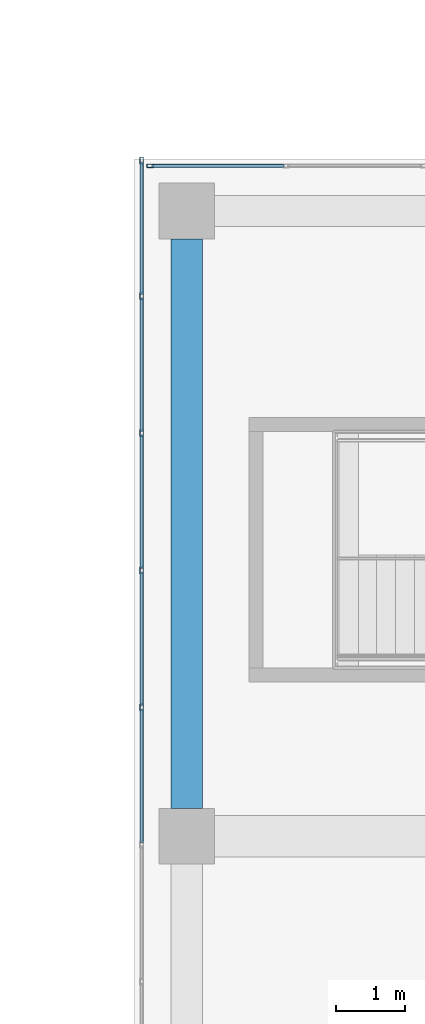
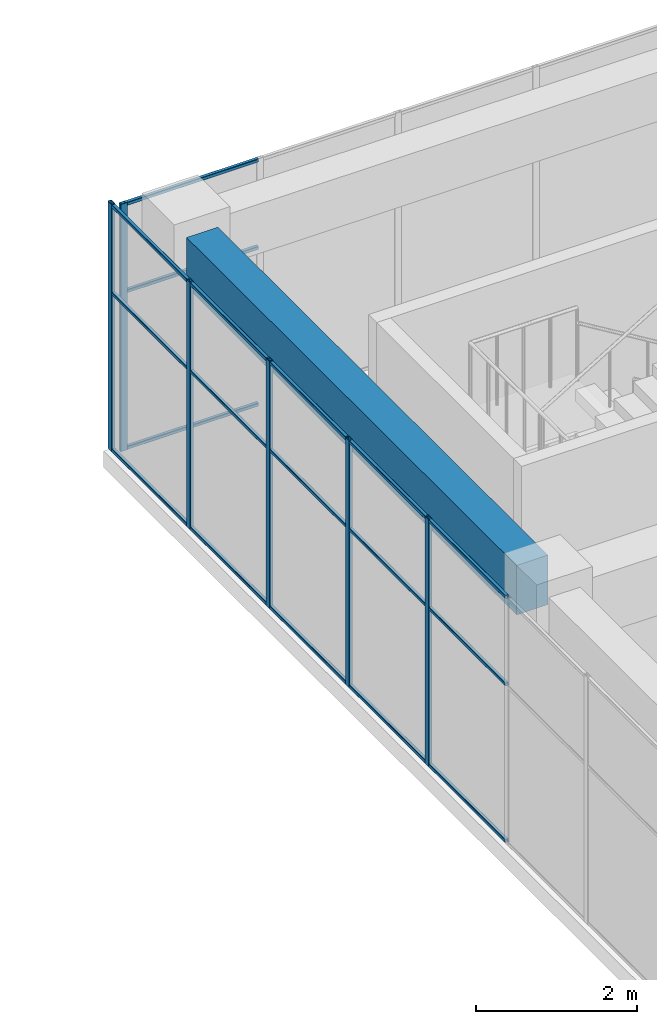
# One storey, part 28 of 55: 24 members, 1 beam, 2 elements without a shape of their own.
"""IFC4 building model written with IfcOpenShell, lengths in metres."""

import ifcopenshell
import ifcopenshell.guid

model = None  # the IFC model being written
_history = None  # IfcOwnerHistory: only IFC2X3 demands one
_inside = {}  # id of a spatial element -> (the spatial element, [elements in it])
_under = {}  # id of a project, library or spatial element -> (it, [spatial elements below it])
_declared = {}  # id of a project -> (the project, [libraries it declares])
_typed = {}  # id of a type object -> (the type object, [elements of that type])
_made_of = {}  # id of a material, layer set ... -> (it, [elements and type objects made of it])


def new_model(schema):
    """Start an empty IFC model of exactly this schema.

    Asked for "IFC4X3", IfcOpenShell would pick the latest addendum, in which some entities
    have other attributes; the version numbers below select the first issue.
    IFC2X3 requires an IfcOwnerHistory on every rooted entity: one is made here for all.
    """
    global model, _history
    if schema == "IFC4X3":
        model = ifcopenshell.file(schema_version=(4, 3, 0, 0))
    else:
        model = ifcopenshell.file(schema=schema)
    _inside.clear()
    _under.clear()
    _declared.clear()
    _typed.clear()
    _made_of.clear()
    _history = None
    if model.schema == "IFC2X3":
        org = make("IfcOrganization", Name="unknown")
        user = make(
            "IfcPersonAndOrganization",
            ThePerson=make("IfcPerson", FamilyName="unknown"),
            TheOrganization=org,
        )
        app = make(
            "IfcApplication",
            ApplicationDeveloper=org,
            Version="unknown",
            ApplicationFullName="unknown",
            ApplicationIdentifier="unknown",
        )
        _history = make(
            "IfcOwnerHistory",
            OwningUser=user,
            OwningApplication=app,
            ChangeAction="ADDED",
            CreationDate=0,
        )
    return model


def make(cls, **values):
    """One entity of the class cls with the attributes given. An attribute that is None is left unset."""
    return model.create_entity(
        cls, **{name: value for name, value in values.items() if value is not None}
    )


def rooted(cls, **values):
    """An entity with a GlobalId (a new one), such as an element, a storey or a relation."""
    return make(cls, GlobalId=ifcopenshell.guid.new(), OwnerHistory=_history, **values)


def si_unit(unit_type, name, prefix=None):
    """IfcSIUnit, for example si_unit("LENGTHUNIT", "METRE", prefix="MILLI")."""
    return make("IfcSIUnit", UnitType=unit_type, Prefix=prefix, Name=name)


def assignment(units):
    """IfcUnitAssignment: the units of a project."""
    return None if units is None else make("IfcUnitAssignment", Units=units)


def point(xyz):
    """IfcCartesianPoint."""
    return None if xyz is None else make("IfcCartesianPoint", Coordinates=xyz)


def direction(xyz):
    """IfcDirection."""
    return None if xyz is None else make("IfcDirection", DirectionRatios=xyz)


def frame(location, z_axis=None, x_axis=None):
    """IfcAxis2Placement3D, a coordinate frame: its origin and axes. An axis left out is left unset."""
    return make(
        "IfcAxis2Placement3D",
        Location=point(location),
        Axis=direction(z_axis),
        RefDirection=direction(x_axis),
    )


def frame_2d(location, x_axis=None):
    """IfcAxis2Placement2D, a coordinate frame in the plane: its origin and x axis."""
    return make(
        "IfcAxis2Placement2D", Location=point(location), RefDirection=direction(x_axis)
    )


def origin():
    """The frame at (0, 0, 0) with its axes left unset."""
    return frame((0.0, 0.0, 0.0))


def origin_2d():
    """The frame at (0, 0) in the plane with its x axis left unset."""
    return frame_2d((0.0, 0.0))


def place(relative_to, where):
    """IfcLocalPlacement: puts the frame where relative to a parent placement (None: the world)."""
    return make(
        "IfcLocalPlacement", PlacementRelTo=relative_to, RelativePlacement=where
    )


def context(
    kind, dimensions, precision=None, world=None, true_north=None, identifier=None
):
    """IfcGeometricRepresentationContext, for example the 3D "Model" context."""
    return make(
        "IfcGeometricRepresentationContext",
        ContextIdentifier=identifier,
        ContextType=kind,
        CoordinateSpaceDimension=dimensions,
        Precision=precision,
        WorldCoordinateSystem=world,
        TrueNorth=true_north,
    )


def subcontext(parent, identifier, kind, view, scale=None):
    """IfcGeometricRepresentationSubContext, for example "Body" below "Model"."""
    return make(
        "IfcGeometricRepresentationSubContext",
        ContextIdentifier=identifier,
        ContextType=kind,
        ParentContext=parent,
        TargetScale=scale,
        TargetView=view,
    )


def project(units=None, contexts=None):
    """IfcProject with its units and contexts."""
    return rooted(
        "IfcProject",
        Name="project",
        RepresentationContexts=contexts,
        UnitsInContext=assignment(units),
    )


def spatial(cls, under=None, at=None, **own):
    """A site, building, storey or space (cls), placed at a placement, below another one or the project."""
    s = rooted(cls, ObjectPlacement=at, **own)
    if under is not None:
        _under.setdefault(under.id(), (under, []))[1].append(s)
    return s


def profile(cls, at=None, kind="AREA", **sizes):
    """A parametric profile (cls). Its sizes go by their IFC names, for example OverallWidth=200.0."""
    return make(cls, ProfileType=kind, Position=at, **sizes)


def rectangle(**sizes):
    """IfcRectangleProfileDef."""
    return profile("IfcRectangleProfileDef", **sizes)


def hollow_rectangle(**sizes):
    """IfcRectangleHollowProfileDef."""
    return profile("IfcRectangleHollowProfileDef", **sizes)


def extrude(swept, where, along, depth):
    """IfcExtrudedAreaSolid: the profile swept, set in the frame where, extruded along a direction by depth."""
    return make(
        "IfcExtrudedAreaSolid",
        SweptArea=swept,
        Position=where,
        ExtrudedDirection=direction(along),
        Depth=depth,
    )


def shape(context_of_items, identifier, shape_type, items):
    """IfcShapeRepresentation: the items that make up one representation, for example the "Body"."""
    return make(
        "IfcShapeRepresentation",
        ContextOfItems=context_of_items,
        RepresentationIdentifier=identifier,
        RepresentationType=shape_type,
        Items=items,
    )


def material(Name=None, Category=None):
    """IfcMaterial."""
    return make("IfcMaterial", Name=Name, Category=Category)


def layer(
    of_material, thickness, ventilated=None, Name=None, Category=None, Priority=None
):
    """IfcMaterialLayer: one layer of a wall or slab, of a material (None: an air gap)."""
    return make(
        "IfcMaterialLayer",
        Material=of_material,
        LayerThickness=thickness,
        IsVentilated=ventilated,
        Name=Name,
        Category=Category,
        Priority=Priority,
    )


def layer_set(layers, Name=None):
    """IfcMaterialLayerSet."""
    return make("IfcMaterialLayerSet", MaterialLayers=layers, LayerSetName=Name)


def material_profile(
    of_material, cross_section, Name=None, Category=None, Priority=None
):
    """IfcMaterialProfile: a cross section and its material."""
    return make(
        "IfcMaterialProfile",
        Name=Name,
        Material=of_material,
        Profile=cross_section,
        Priority=Priority,
        Category=Category,
    )


def profile_set(profiles, Name=None, composite=None):
    """IfcMaterialProfileSet."""
    return make(
        "IfcMaterialProfileSet",
        Name=Name,
        MaterialProfiles=profiles,
        CompositeProfile=composite,
    )


def made_of(thing, what):
    """Note that an element or type object is made of a material, layer set ...; save() writes the relation."""
    if what is not None:
        _made_of.setdefault(what.id(), (what, []))[1].append(thing)
    return thing


def type_object(cls, material=None, **own):
    """A type object (cls), such as IfcWallType, which elements share."""
    return made_of(rooted(cls, **own), material)


def element(
    cls,
    number,
    at=None,
    inside=None,
    cuts=None,
    type_object=None,
    material=None,
    context=None,
    identifier="Body",
    shape_type=None,
    held_by="IfcProductDefinitionShape",
    body=None,
    shapes=None,
    **own,
):
    """One element of the class cls, such as IfcWall. Its Tag is "e" and its number.

    at: its placement. inside: the storey or other place that contains it. cuts: it is an
    opening in that element (IfcRelVoidsElement). A single representation is given by context,
    identifier, shape_type and body (its items); several are given by shapes. held_by: the class
    of the entity that holds the representations. save() writes the other relations.
    """
    e = rooted(cls, Tag="e%d" % number, ObjectPlacement=at, **own)
    if body is not None:
        shapes = [shape(context, identifier, shape_type, body)]
    if shapes is not None:
        e.Representation = make(held_by, Representations=shapes)
    if inside is not None:
        _inside.setdefault(inside.id(), (inside, []))[1].append(e)
    if cuts is not None:
        rooted(
            "IfcRelVoidsElement", RelatingBuildingElement=cuts, RelatedOpeningElement=e
        )
    if type_object is not None:
        _typed.setdefault(type_object.id(), (type_object, []))[1].append(e)
    return made_of(e, material)


def aggregate(whole, parts):
    """IfcRelAggregates: a whole, such as a stair, and the parts it consists of."""
    return rooted("IfcRelAggregates", RelatingObject=whole, RelatedObjects=parts)


def save(model, path):
    """Write the relations noted so far, then the file.

    IfcRelAggregates (storeys below a building ...), IfcRelContainedInSpatialStructure (elements
    in a storey), IfcRelDefinesByType, IfcRelAssociatesMaterial and IfcRelDeclares: one each for
    every whole, place, type object, material and project.
    """
    for whole, parts in _under.values():
        aggregate(whole, parts)
    for where, things in _inside.values():
        rooted(
            "IfcRelContainedInSpatialStructure",
            RelatedElements=things,
            RelatingStructure=where,
        )
    for kind, things in _typed.values():
        rooted("IfcRelDefinesByType", RelatedObjects=things, RelatingType=kind)
    for what, things in _made_of.values():
        rooted("IfcRelAssociatesMaterial", RelatedObjects=things, RelatingMaterial=what)
    for by, libraries in _declared.values():
        rooted("IfcRelDeclares", RelatingContext=by, RelatedDefinitions=libraries)
    model.write(path)


model = new_model("IFC4")

# Units and contexts
model_context = context("Model", 3, precision=1e-05, world=origin(), true_north=direction((0.0, 1.0)))
body_context = subcontext(model_context, "Body", "Model", "MODEL_VIEW")
ifc_project = project(units=[si_unit("LENGTHUNIT", "METRE"), si_unit("AREAUNIT", "SQUARE_METRE"), si_unit("VOLUMEUNIT", "CUBIC_METRE"), si_unit("PLANEANGLEUNIT", "RADIAN"), si_unit("MASSUNIT", "GRAM", prefix="KILO")], contexts=[model_context])

# Site, building, storey
site_placement = place(None, origin())
site = spatial("IfcSite", under=ifc_project, at=site_placement, CompositionType="ELEMENT")
building_placement = place(site_placement, origin())
building = spatial("IfcBuilding", under=site, at=building_placement, Name="Tuart Plaza Theatre", CompositionType="ELEMENT")
storey_placement = place(building_placement, frame((0.0, 0.0, 21.5)))
storey = spatial("IfcBuildingStorey", under=building, at=storey_placement, Name="L05", CompositionType="ELEMENT", Elevation=21.5)

# Beam
ifc_material_1 = material(Name="Concrete N40 (40 MPa)", Category="concrete")
ifc_material_profile_1 = material_profile(ifc_material_1, rectangle(XDim=0.449951171875, YDim=0.75, at=origin_2d()), Name="BEAM 450x750 Concrete N40 (40 MPa)")
ifc_profile_set_1 = profile_set([ifc_material_profile_1], Name="Concrete N40 (40 MPa)")
beam_type = type_object("IfcBeamType", Name="BEAM 450x750 Concrete N40 (40 MPa)", PredefinedType="BEAM", material=ifc_profile_set_1)
beam_placement = place(storey_placement, frame((114.0, 83.39990234375, 3.375), z_axis=(0.0, 1.0, 0.0), x_axis=(-1.0, 0.0, 0.0)))
element("IfcBeam", 1, at=beam_placement, inside=storey, type_object=beam_type, Name="RB213", PredefinedType="BEAM", context=body_context, shape_type="SweptSolid", body=[
    extrude(rectangle(XDim=0.449951171875, YDim=0.75, at=origin_2d()), origin(), (0.0, 0.0, 1.0), 8.2001953125),
])

# Curtain wall, member
ifc_material_2 = material(Name="Aluminium and glass", Category="aluminium")
ifc_layer = layer(ifc_material_2, 0.10009765625)
ifc_layer_set = layer_set([ifc_layer], Name="CURTAIN WALL 2000 module")
curtain_wall_type = type_object("IfcCurtainWallType", Name="CURTAIN WALL 2000 module", PredefinedType="NOTDEFINED", material=ifc_layer_set)
curtain_wall_1_placement = place(storey_placement, origin())
curtain_wall_1 = element("IfcCurtainWall", 2, at=curtain_wall_1_placement, inside=storey, type_object=curtain_wall_type, Name="CW84", PredefinedType="NOTDEFINED")
ifc_material_3 = material(Name="Aluminium 6063-T5", Category="aluminium")
ifc_material_profile_2 = material_profile(ifc_material_3, hollow_rectangle(XDim=0.050048828125, YDim=0.10009765625, WallThickness=0.00390625, InnerFilletRadius=0.00390625, OuterFilletRadius=0.008056640625, at=origin_2d()), Name="RHS 100x50x4")
ifc_profile_set_2 = profile_set([ifc_material_profile_2], Name="Aluminium 6063-T5")
member_type_1 = type_object("IfcMemberType", Name="MULLION RHS 100x50x4", PredefinedType="MULLION", material=ifc_profile_set_2)
member_1_placement = place(storey_placement, frame((113.47509765625, 92.64990234375, 0.0), z_axis=(0.0, 0.0, 1.0), x_axis=(0.0, -1.0, 0.0)))
member_1 = element("IfcMember", 3, at=member_1_placement, type_object=member_type_1, Name="CW84 mullion 10", PredefinedType="MULLION", context=body_context, shape_type="SweptSolid", body=[
    extrude(hollow_rectangle(XDim=0.050048828125, YDim=0.10009765625, WallThickness=0.00390625, InnerFilletRadius=0.00390625, OuterFilletRadius=0.008056640625, at=origin_2d()), origin(), (0.0, 0.0, 1.0), 3.75),
])

# Curtain wall, members
curtain_wall_2_placement = place(storey_placement, origin())
curtain_wall_2 = element("IfcCurtainWall", 4, at=curtain_wall_2_placement, inside=storey, type_object=curtain_wall_type, Name="CW86", PredefinedType="NOTDEFINED")
member_2_placement = place(storey_placement, frame((113.35009765625, 92.72509765625, 0.0), z_axis=(0.0, 0.0, 1.0), x_axis=(1.0, 0.0, 0.0)))
member_2 = element("IfcMember", 5, at=member_2_placement, type_object=member_type_1, Name="CW86 mullion 1", PredefinedType="MULLION", context=body_context, shape_type="SweptSolid", body=[
    extrude(hollow_rectangle(XDim=0.050048828125, YDim=0.10009765625, WallThickness=0.00390625, InnerFilletRadius=0.00390625, OuterFilletRadius=0.008056640625, at=origin_2d()), origin(), (0.0, 0.0, 1.0), 3.75),
])
member_3_placement = place(storey_placement, frame((113.35009765625, 90.7763671875, 0.0), z_axis=(0.0, 0.0, 1.0), x_axis=(1.0, 0.0, 0.0)))
member_3 = element("IfcMember", 6, at=member_3_placement, type_object=member_type_1, Name="CW86 mullion 2", PredefinedType="MULLION", context=body_context, shape_type="SweptSolid", body=[
    extrude(hollow_rectangle(XDim=0.050048828125, YDim=0.10009765625, WallThickness=0.00390625, InnerFilletRadius=0.00390625, OuterFilletRadius=0.008056640625, at=origin_2d()), origin(), (0.0, 0.0, 1.0), 3.75),
])
member_4_placement = place(storey_placement, frame((113.35009765625, 88.802734375, 0.0), z_axis=(0.0, 0.0, 1.0), x_axis=(1.0, 0.0, 0.0)))
member_4 = element("IfcMember", 7, at=member_4_placement, type_object=member_type_1, Name="CW86 mullion 3", PredefinedType="MULLION", context=body_context, shape_type="SweptSolid", body=[
    extrude(hollow_rectangle(XDim=0.050048828125, YDim=0.10009765625, WallThickness=0.00390625, InnerFilletRadius=0.00390625, OuterFilletRadius=0.008056640625, at=origin_2d()), origin(), (0.0, 0.0, 1.0), 3.75),
])
member_5_placement = place(storey_placement, frame((113.35009765625, 86.828857421875, 0.0), z_axis=(0.0, 0.0, 1.0), x_axis=(1.0, 0.0, 0.0)))
member_5 = element("IfcMember", 8, at=member_5_placement, type_object=member_type_1, Name="CW86 mullion 4", PredefinedType="MULLION", context=body_context, shape_type="SweptSolid", body=[
    extrude(hollow_rectangle(XDim=0.050048828125, YDim=0.10009765625, WallThickness=0.00390625, InnerFilletRadius=0.00390625, OuterFilletRadius=0.008056640625, at=origin_2d()), origin(), (0.0, 0.0, 1.0), 3.75),
])
member_6_placement = place(storey_placement, frame((113.35009765625, 84.855224609375, 0.0), z_axis=(0.0, 0.0, 1.0), x_axis=(1.0, 0.0, 0.0)))
member_6 = element("IfcMember", 9, at=member_6_placement, type_object=member_type_1, Name="CW86 mullion 5", PredefinedType="MULLION", context=body_context, shape_type="SweptSolid", body=[
    extrude(hollow_rectangle(XDim=0.050048828125, YDim=0.10009765625, WallThickness=0.00390625, InnerFilletRadius=0.00390625, OuterFilletRadius=0.008056640625, at=origin_2d()), origin(), (0.0, 0.0, 1.0), 3.75),
])

# Member
ifc_material_4 = material(Name="Aluminium 6063-T5", Category="aluminium")
ifc_material_profile_3 = material_profile(ifc_material_4, hollow_rectangle(XDim=0.050048828125, YDim=0.050048828125, WallThickness=0.00390625, InnerFilletRadius=0.00390625, OuterFilletRadius=0.008056640625, at=origin_2d()), Name="RHS 50x50x4")
ifc_profile_set_3 = profile_set([ifc_material_profile_3], Name="Aluminium 6063-T5")
member_type_2 = type_object("IfcMemberType", Name="TRANSOM RHS 50x50x4", PredefinedType="USERDEFINED", material=ifc_profile_set_3)
member_7_placement = place(storey_placement, frame((115.40283203125, 92.64990234375, 0.02490234375), z_axis=(-1.0, 0.0, 0.0), x_axis=(0.0, -1.0, 0.0)))
member_7 = element("IfcMember", 10, at=member_7_placement, type_object=member_type_2, Name="CW84 transom 9.1", ObjectType="TRANSOM", PredefinedType="USERDEFINED", context=body_context, shape_type="SweptSolid", body=[
    extrude(hollow_rectangle(XDim=0.050048828125, YDim=0.050048828125, WallThickness=0.00390625, InnerFilletRadius=0.00390625, OuterFilletRadius=0.008056640625, at=origin_2d()), origin(), (0.0, 0.0, 1.0), 1.90283203125),
])

member_8_placement = place(storey_placement, frame((115.40283203125, 92.64990234375, 2.39990234375), z_axis=(-1.0, 0.0, 0.0), x_axis=(0.0, -1.0, 0.0)))
member_8 = element("IfcMember", 11, at=member_8_placement, type_object=member_type_2, Name="CW84 transom 9.2", ObjectType="TRANSOM", PredefinedType="USERDEFINED", context=body_context, shape_type="SweptSolid", body=[
    extrude(hollow_rectangle(XDim=0.050048828125, YDim=0.050048828125, WallThickness=0.00390625, InnerFilletRadius=0.00390625, OuterFilletRadius=0.008056640625, at=origin_2d()), origin(), (0.0, 0.0, 1.0), 1.90283203125),
])

member_9_placement = place(storey_placement, frame((115.40283203125, 92.64990234375, 3.72509765625), z_axis=(-1.0, 0.0, 0.0), x_axis=(0.0, -1.0, 0.0)))
member_9 = element("IfcMember", 12, at=member_9_placement, type_object=member_type_2, Name="CW84 transom 9.3", ObjectType="TRANSOM", PredefinedType="USERDEFINED", context=body_context, shape_type="SweptSolid", body=[
    extrude(hollow_rectangle(XDim=0.050048828125, YDim=0.050048828125, WallThickness=0.00390625, InnerFilletRadius=0.00390625, OuterFilletRadius=0.008056640625, at=origin_2d()), origin(), (0.0, 0.0, 1.0), 1.90283203125),
])

aggregate(curtain_wall_1, [member_1, member_7, member_8, member_9])

member_10_placement = place(storey_placement, frame((113.35009765625, 92.699951171875, 0.02490234375), z_axis=(0.0, -1.0, 0.0), x_axis=(1.0, 0.0, 0.0)))
member_10 = element("IfcMember", 13, at=member_10_placement, type_object=member_type_2, Name="CW86 transom 1.1", ObjectType="TRANSOM", PredefinedType="USERDEFINED", context=body_context, shape_type="SweptSolid", body=[
    extrude(hollow_rectangle(XDim=0.050048828125, YDim=0.050048828125, WallThickness=0.00390625, InnerFilletRadius=0.00390625, OuterFilletRadius=0.008056640625, at=origin_2d()), origin(), (0.0, 0.0, 1.0), 1.898681640625),
])

member_11_placement = place(storey_placement, frame((113.35009765625, 92.699951171875, 2.39990234375), z_axis=(0.0, -1.0, 0.0), x_axis=(1.0, 0.0, 0.0)))
member_11 = element("IfcMember", 14, at=member_11_placement, type_object=member_type_2, Name="CW86 transom 1.2", ObjectType="TRANSOM", PredefinedType="USERDEFINED", context=body_context, shape_type="SweptSolid", body=[
    extrude(hollow_rectangle(XDim=0.050048828125, YDim=0.050048828125, WallThickness=0.00390625, InnerFilletRadius=0.00390625, OuterFilletRadius=0.008056640625, at=origin_2d()), origin(), (0.0, 0.0, 1.0), 1.898681640625),
])

member_12_placement = place(storey_placement, frame((113.35009765625, 92.699951171875, 3.72509765625), z_axis=(0.0, -1.0, 0.0), x_axis=(1.0, 0.0, 0.0)))
member_12 = element("IfcMember", 15, at=member_12_placement, type_object=member_type_2, Name="CW86 transom 1.3", ObjectType="TRANSOM", PredefinedType="USERDEFINED", context=body_context, shape_type="SweptSolid", body=[
    extrude(hollow_rectangle(XDim=0.050048828125, YDim=0.050048828125, WallThickness=0.00390625, InnerFilletRadius=0.00390625, OuterFilletRadius=0.008056640625, at=origin_2d()), origin(), (0.0, 0.0, 1.0), 1.898681640625),
])

member_13_placement = place(storey_placement, frame((113.35009765625, 90.751220703125, 0.02490234375), z_axis=(0.0, -1.0, 0.0), x_axis=(1.0, 0.0, 0.0)))
member_13 = element("IfcMember", 16, at=member_13_placement, type_object=member_type_2, Name="CW86 transom 2.1", ObjectType="TRANSOM", PredefinedType="USERDEFINED", context=body_context, shape_type="SweptSolid", body=[
    extrude(hollow_rectangle(XDim=0.050048828125, YDim=0.050048828125, WallThickness=0.00390625, InnerFilletRadius=0.00390625, OuterFilletRadius=0.008056640625, at=origin_2d()), origin(), (0.0, 0.0, 1.0), 1.923583984375),
])

member_14_placement = place(storey_placement, frame((113.35009765625, 90.751220703125, 2.39990234375), z_axis=(0.0, -1.0, 0.0), x_axis=(1.0, 0.0, 0.0)))
member_14 = element("IfcMember", 17, at=member_14_placement, type_object=member_type_2, Name="CW86 transom 2.2", ObjectType="TRANSOM", PredefinedType="USERDEFINED", context=body_context, shape_type="SweptSolid", body=[
    extrude(hollow_rectangle(XDim=0.050048828125, YDim=0.050048828125, WallThickness=0.00390625, InnerFilletRadius=0.00390625, OuterFilletRadius=0.008056640625, at=origin_2d()), origin(), (0.0, 0.0, 1.0), 1.923583984375),
])

member_15_placement = place(storey_placement, frame((113.35009765625, 90.751220703125, 3.72509765625), z_axis=(0.0, -1.0, 0.0), x_axis=(1.0, 0.0, 0.0)))
member_15 = element("IfcMember", 18, at=member_15_placement, type_object=member_type_2, Name="CW86 transom 2.3", ObjectType="TRANSOM", PredefinedType="USERDEFINED", context=body_context, shape_type="SweptSolid", body=[
    extrude(hollow_rectangle(XDim=0.050048828125, YDim=0.050048828125, WallThickness=0.00390625, InnerFilletRadius=0.00390625, OuterFilletRadius=0.008056640625, at=origin_2d()), origin(), (0.0, 0.0, 1.0), 1.923583984375),
])

member_16_placement = place(storey_placement, frame((113.35009765625, 88.777587890625, 0.02490234375), z_axis=(0.0, -1.0, 0.0), x_axis=(1.0, 0.0, 0.0)))
member_16 = element("IfcMember", 19, at=member_16_placement, type_object=member_type_2, Name="CW86 transom 3.1", ObjectType="TRANSOM", PredefinedType="USERDEFINED", context=body_context, shape_type="SweptSolid", body=[
    extrude(hollow_rectangle(XDim=0.050048828125, YDim=0.050048828125, WallThickness=0.00390625, InnerFilletRadius=0.00390625, OuterFilletRadius=0.008056640625, at=origin_2d()), origin(), (0.0, 0.0, 1.0), 1.923583984375),
])

member_17_placement = place(storey_placement, frame((113.35009765625, 88.777587890625, 2.39990234375), z_axis=(0.0, -1.0, 0.0), x_axis=(1.0, 0.0, 0.0)))
member_17 = element("IfcMember", 20, at=member_17_placement, type_object=member_type_2, Name="CW86 transom 3.2", ObjectType="TRANSOM", PredefinedType="USERDEFINED", context=body_context, shape_type="SweptSolid", body=[
    extrude(hollow_rectangle(XDim=0.050048828125, YDim=0.050048828125, WallThickness=0.00390625, InnerFilletRadius=0.00390625, OuterFilletRadius=0.008056640625, at=origin_2d()), origin(), (0.0, 0.0, 1.0), 1.923583984375),
])

member_18_placement = place(storey_placement, frame((113.35009765625, 88.777587890625, 3.72509765625), z_axis=(0.0, -1.0, 0.0), x_axis=(1.0, 0.0, 0.0)))
member_18 = element("IfcMember", 21, at=member_18_placement, type_object=member_type_2, Name="CW86 transom 3.3", ObjectType="TRANSOM", PredefinedType="USERDEFINED", context=body_context, shape_type="SweptSolid", body=[
    extrude(hollow_rectangle(XDim=0.050048828125, YDim=0.050048828125, WallThickness=0.00390625, InnerFilletRadius=0.00390625, OuterFilletRadius=0.008056640625, at=origin_2d()), origin(), (0.0, 0.0, 1.0), 1.923583984375),
])

member_19_placement = place(storey_placement, frame((113.35009765625, 86.803955078125, 0.02490234375), z_axis=(0.0, -1.0, 0.0), x_axis=(1.0, 0.0, 0.0)))
member_19 = element("IfcMember", 22, at=member_19_placement, type_object=member_type_2, Name="CW86 transom 4.1", ObjectType="TRANSOM", PredefinedType="USERDEFINED", context=body_context, shape_type="SweptSolid", body=[
    extrude(hollow_rectangle(XDim=0.050048828125, YDim=0.050048828125, WallThickness=0.00390625, InnerFilletRadius=0.00390625, OuterFilletRadius=0.008056640625, at=origin_2d()), origin(), (0.0, 0.0, 1.0), 1.923583984375),
])

member_20_placement = place(storey_placement, frame((113.35009765625, 86.803955078125, 2.39990234375), z_axis=(0.0, -1.0, 0.0), x_axis=(1.0, 0.0, 0.0)))
member_20 = element("IfcMember", 23, at=member_20_placement, type_object=member_type_2, Name="CW86 transom 4.2", ObjectType="TRANSOM", PredefinedType="USERDEFINED", context=body_context, shape_type="SweptSolid", body=[
    extrude(hollow_rectangle(XDim=0.050048828125, YDim=0.050048828125, WallThickness=0.00390625, InnerFilletRadius=0.00390625, OuterFilletRadius=0.008056640625, at=origin_2d()), origin(), (0.0, 0.0, 1.0), 1.923583984375),
])

member_21_placement = place(storey_placement, frame((113.35009765625, 86.803955078125, 3.72509765625), z_axis=(0.0, -1.0, 0.0), x_axis=(1.0, 0.0, 0.0)))
member_21 = element("IfcMember", 24, at=member_21_placement, type_object=member_type_2, Name="CW86 transom 4.3", ObjectType="TRANSOM", PredefinedType="USERDEFINED", context=body_context, shape_type="SweptSolid", body=[
    extrude(hollow_rectangle(XDim=0.050048828125, YDim=0.050048828125, WallThickness=0.00390625, InnerFilletRadius=0.00390625, OuterFilletRadius=0.008056640625, at=origin_2d()), origin(), (0.0, 0.0, 1.0), 1.923583984375),
])

member_22_placement = place(storey_placement, frame((113.35009765625, 84.830322265625, 0.02490234375), z_axis=(0.0, -1.0, 0.0), x_axis=(1.0, 0.0, 0.0)))
member_22 = element("IfcMember", 25, at=member_22_placement, type_object=member_type_2, Name="CW86 transom 5.1", ObjectType="TRANSOM", PredefinedType="USERDEFINED", context=body_context, shape_type="SweptSolid", body=[
    extrude(hollow_rectangle(XDim=0.050048828125, YDim=0.050048828125, WallThickness=0.00390625, InnerFilletRadius=0.00390625, OuterFilletRadius=0.008056640625, at=origin_2d()), origin(), (0.0, 0.0, 1.0), 1.923828125),
])

member_23_placement = place(storey_placement, frame((113.35009765625, 84.830322265625, 2.39990234375), z_axis=(0.0, -1.0, 0.0), x_axis=(1.0, 0.0, 0.0)))
member_23 = element("IfcMember", 26, at=member_23_placement, type_object=member_type_2, Name="CW86 transom 5.2", ObjectType="TRANSOM", PredefinedType="USERDEFINED", context=body_context, shape_type="SweptSolid", body=[
    extrude(hollow_rectangle(XDim=0.050048828125, YDim=0.050048828125, WallThickness=0.00390625, InnerFilletRadius=0.00390625, OuterFilletRadius=0.008056640625, at=origin_2d()), origin(), (0.0, 0.0, 1.0), 1.923828125),
])

member_24_placement = place(storey_placement, frame((113.35009765625, 84.830322265625, 3.72509765625), z_axis=(0.0, -1.0, 0.0), x_axis=(1.0, 0.0, 0.0)))
member_24 = element("IfcMember", 27, at=member_24_placement, type_object=member_type_2, Name="CW86 transom 5.3", ObjectType="TRANSOM", PredefinedType="USERDEFINED", context=body_context, shape_type="SweptSolid", body=[
    extrude(hollow_rectangle(XDim=0.050048828125, YDim=0.050048828125, WallThickness=0.00390625, InnerFilletRadius=0.00390625, OuterFilletRadius=0.008056640625, at=origin_2d()), origin(), (0.0, 0.0, 1.0), 1.923828125),
])

aggregate(curtain_wall_2, [member_2, member_3, member_4, member_5, member_6, member_10, member_11, member_12, member_13, member_14, member_15, member_16, member_17, member_18, member_19, member_20, member_21, member_22, member_23, member_24])

save(model, "model.ifc")
